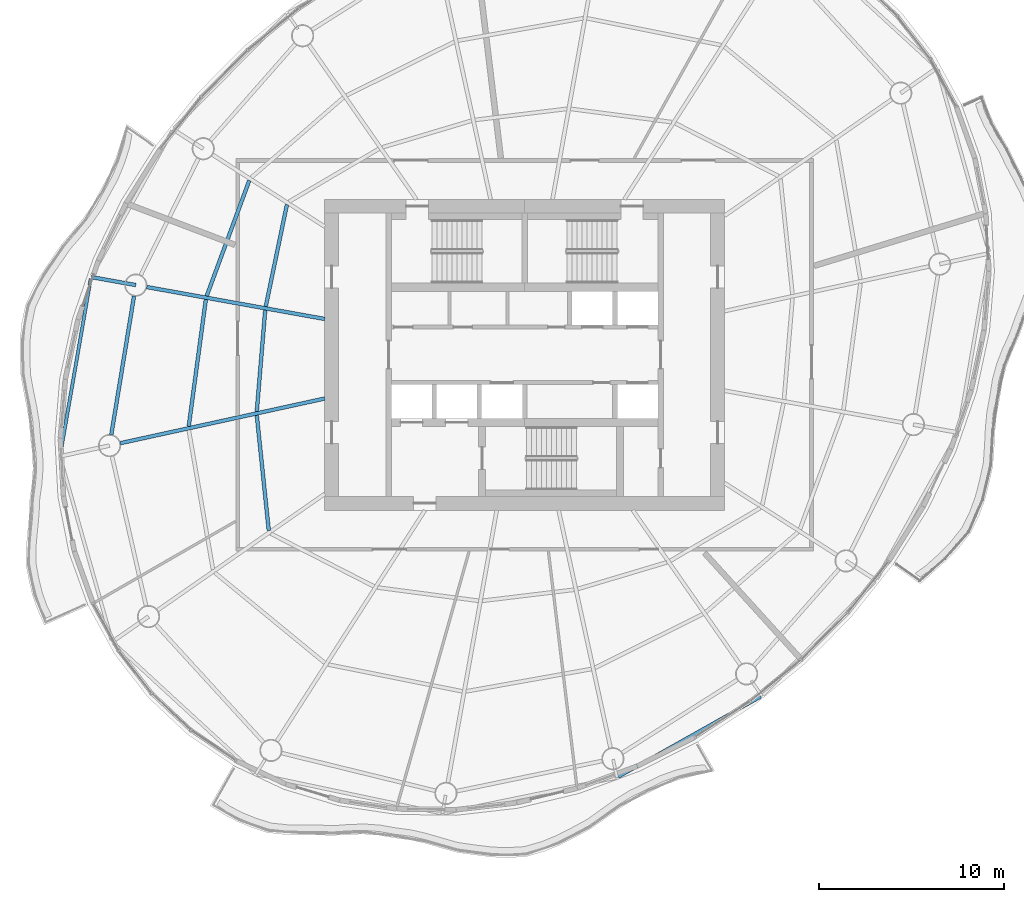
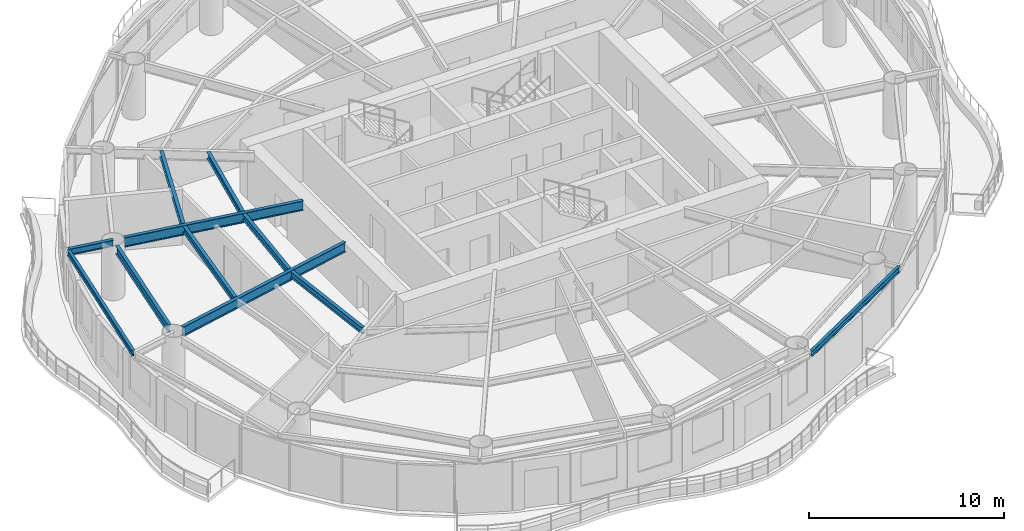
# One storey, part 3 of 14: 11 beams.
"""IFC4 building model written with IfcOpenShell, lengths in metres."""

from ifc_helpers import new_model, si_unit, direction, frame, origin, origin_2d, place, context, subcontext, project, spatial, i_section, extrude, material, material_profile, profile_set, type_object, element, save


model = new_model("IFC4")

# Units and contexts
model_context = context("Model", 3, precision=1e-05, world=origin(), true_north=direction((0.0, 1.0)))
body_context = subcontext(model_context, "Body", "Model", "MODEL_VIEW")
ifc_project = project(units=[si_unit("LENGTHUNIT", "METRE"), si_unit("AREAUNIT", "SQUARE_METRE"), si_unit("VOLUMEUNIT", "CUBIC_METRE"), si_unit("PLANEANGLEUNIT", "RADIAN"), si_unit("MASSUNIT", "GRAM", prefix="KILO")], contexts=[model_context])

# Site, building, storey
site_placement = place(None, origin())
site = spatial("IfcSite", under=ifc_project, at=site_placement, CompositionType="ELEMENT")
building_placement = place(site_placement, origin())
building = spatial("IfcBuilding", under=site, at=building_placement, Name="Vermilion Reach Broadcast Tower", CompositionType="ELEMENT")
storey_placement = place(building_placement, frame((0.0, 0.0, 202.89990234375)))
storey = spatial("IfcBuildingStorey", under=building, at=storey_placement, Name="L49", CompositionType="ELEMENT", Elevation=202.89990234375)

# Beams
ifc_material_1 = material(Name="Steel S355J2", Category="steel")
ifc_material_profile_1 = material_profile(ifc_material_1, i_section(OverallWidth=0.175048828125, OverallDepth=0.35009765625, WebThickness=0.007080078125, FlangeThickness=0.010986328125, at=origin_2d()), Name="S355J2 HN 350x175x7x11")
ifc_profile_set_1 = profile_set([ifc_material_profile_1], Name="Steel S355J2")
beam_type_1 = type_object("IfcBeamType", Name="EB4 HN 350x175x7x11", PredefinedType="BEAM", material=ifc_profile_set_1)
beam_1_placement = place(storey_placement, frame((-29.441162109375, 4.103515625, 3.275146484375), z_axis=(-0.170557536441, -0.985347718708, 0.0), x_axis=(0.985347718708, -0.170557536441, 0.0)))
element("IfcBeam", 1, at=beam_1_placement, inside=storey, type_object=beam_type_1, Name="Edge beam EB4-06", PredefinedType="BEAM", context=body_context, shape_type="SweptSolid", body=[
    extrude(i_section(OverallWidth=0.175048828125, OverallDepth=0.35009765625, WebThickness=0.007080078125, FlangeThickness=0.010986328125, at=origin_2d()), origin(), (0.0, 0.0, 1.0), 9.625),
])
beam_2_placement = place(storey_placement, frame((-0.93994140625, -22.7978515625, 3.275146484375), z_axis=(0.871407912893, 0.490559119115, 0.0), x_axis=(-0.490559119115, 0.871407912893, 0.0)))
element("IfcBeam", 2, at=beam_2_placement, inside=storey, type_object=beam_type_1, Name="Edge beam EB4-11", PredefinedType="BEAM", context=body_context, shape_type="SweptSolid", body=[
    extrude(i_section(OverallWidth=0.175048828125, OverallDepth=0.35009765625, WebThickness=0.007080078125, FlangeThickness=0.010986328125, at=origin_2d()), origin(), (0.0, 0.0, 1.0), 8.832275390625),
])
ifc_material_2 = material(Name="Steel S355J2", Category="steel")
ifc_material_profile_2 = material_profile(ifc_material_2, i_section(OverallWidth=0.199951171875, OverallDepth=0.60009765625, WebThickness=0.010986328125, FlangeThickness=0.01708984375, at=origin_2d()), Name="S355J2 HN 600x200x11x17")
ifc_profile_set_2 = profile_set([ifc_material_profile_2], Name="Steel S355J2")
beam_type_2 = type_object("IfcBeamType", Name="G4 HN 600x200x11x17", PredefinedType="BEAM", material=ifc_profile_set_2)
beam_3_placement = place(storey_placement, frame((-16.800048828125, 1.9375, 3.150146484375), z_axis=(-0.984291153273, 0.176552897422, 0.0), x_axis=(-0.176552897422, -0.984291153273, 0.0)))
element("IfcBeam", 3, at=beam_3_placement, inside=storey, type_object=beam_type_2, Name="Girder G4-06", PredefinedType="BEAM", context=body_context, shape_type="SweptSolid", body=[
    extrude(i_section(OverallWidth=0.199951171875, OverallDepth=0.60009765625, WebThickness=0.010986328125, FlangeThickness=0.01708984375, at=origin_2d()), origin(), (0.0, 0.0, 1.0), 9.765380859375),
])
beam_4_placement = place(storey_placement, frame((-16.800048828125, -2.360595703125, 3.150146484375), z_axis=(-0.976930175286, -0.213558967537, 0.0), x_axis=(0.213558967537, -0.976930175286, 0.0)))
element("IfcBeam", 4, at=beam_4_placement, inside=storey, type_object=beam_type_2, Name="Girder G4-07", PredefinedType="BEAM", context=body_context, shape_type="SweptSolid", body=[
    extrude(i_section(OverallWidth=0.199951171875, OverallDepth=0.60009765625, WebThickness=0.010986328125, FlangeThickness=0.01708984375, at=origin_2d()), origin(), (0.0, 0.0, 1.0), 11.29833984375),
])
ifc_material_3 = material(Name="Steel S355J2", Category="steel")
ifc_material_profile_3 = material_profile(ifc_material_3, i_section(OverallWidth=0.199951171875, OverallDepth=0.39990234375, WebThickness=0.008056640625, FlangeThickness=0.012939453125, at=origin_2d()), Name="S355J2 HN 400x200x8x13")
ifc_profile_set_3 = profile_set([ifc_material_profile_3], Name="Steel S355J2")
beam_type_3 = type_object("IfcBeamType", Name="GC4 HN 400x200x8x13", PredefinedType="BEAM", material=ifc_profile_set_3)
beam_5_placement = place(storey_placement, frame((-27.002685546875, 3.767578125, 3.25), z_axis=(-0.984291112535, 0.176553124541, 0.0), x_axis=(-0.176553124541, -0.984291112535, 0.0)))
element("IfcBeam", 5, at=beam_5_placement, inside=storey, type_object=beam_type_3, Name="Cantilever girder GC4-06", PredefinedType="BEAM", context=body_context, shape_type="SweptSolid", body=[
    extrude(i_section(OverallWidth=0.199951171875, OverallDepth=0.39990234375, WebThickness=0.008056640625, FlangeThickness=0.012939453125, at=origin_2d()), origin(), (0.0, 0.0, 1.0), 2.4599609375),
])
ifc_material_4 = material(Name="Steel S355J2", Category="steel")
ifc_material_profile_4 = material_profile(ifc_material_4, i_section(OverallWidth=0.199951171875, OverallDepth=0.5, WebThickness=0.010009765625, FlangeThickness=0.01611328125, at=origin_2d()), Name="S355J2 HN 500x200x10x16")
ifc_profile_set_4 = profile_set([ifc_material_profile_4], Name="Steel S355J2")
beam_type_4 = type_object("IfcBeamType", Name="RB4 HN 500x200x10x16", PredefinedType="BEAM", material=ifc_profile_set_4)
beam_6_placement = place(storey_placement, frame((-27.099609375, 3.175537109375, 3.2001953125), z_axis=(-0.161778110263, -0.986827159659, 0.0), x_axis=(0.986827159659, -0.161778110263, 0.0)))
element("IfcBeam", 6, at=beam_6_placement, inside=storey, type_object=beam_type_4, Name="Ring beam RB4-06", PredefinedType="BEAM", context=body_context, shape_type="SweptSolid", body=[
    extrude(i_section(OverallWidth=0.199951171875, OverallDepth=0.5, WebThickness=0.010009765625, FlangeThickness=0.01611328125, at=origin_2d()), origin(), (0.0, 0.0, 1.0), 7.584716796875),
])
ifc_material_5 = material(Name="Steel S355J2", Category="steel")
ifc_material_profile_5 = material_profile(ifc_material_5, i_section(OverallWidth=0.199951171875, OverallDepth=0.39990234375, WebThickness=0.008056640625, FlangeThickness=0.012939453125, at=origin_2d()), Name="S355J2 HN 400x200x8x13")
ifc_profile_set_5 = profile_set([ifc_material_profile_5], Name="Steel S355J2")
beam_type_5 = type_object("IfcBeamType", Name="SB4 HN 400x200x8x13", PredefinedType="BEAM", material=ifc_profile_set_5)
beam_7_placement = place(storey_placement, frame((-18.841064453125, 8.115478515625, 3.25), z_axis=(-0.20320860258, -0.979135467562, 0.0), x_axis=(0.979135467562, -0.20320860258, 0.0)))
element("IfcBeam", 7, at=beam_7_placement, inside=storey, type_object=beam_type_5, Name="Secondary beam SB4-05-1", PredefinedType="BEAM", context=body_context, shape_type="SweptSolid", body=[
    extrude(i_section(OverallWidth=0.199951171875, OverallDepth=0.39990234375, WebThickness=0.008056640625, FlangeThickness=0.012939453125, at=origin_2d()), origin(), (0.0, 0.0, 1.0), 5.622802734375),
])
beam_8_placement = place(storey_placement, frame((-20.8740234375, 9.419189453125, 3.25), z_axis=(-0.345833008621, -0.938296078084, 0.0), x_axis=(0.938296078084, -0.345833008621, 0.0)))
element("IfcBeam", 8, at=beam_8_placement, inside=storey, type_object=beam_type_5, Name="Secondary beam SB4-05-2", PredefinedType="BEAM", context=body_context, shape_type="SweptSolid", body=[
    extrude(i_section(OverallWidth=0.199951171875, OverallDepth=0.39990234375, WebThickness=0.008056640625, FlangeThickness=0.012939453125, at=origin_2d()), origin(), (0.0, 0.0, 1.0), 6.647216796875),
])
beam_9_placement = place(storey_placement, frame((-20.012451171875, 2.412109375, 3.25), z_axis=(-0.08339866655, -0.996516262997, 0.0), x_axis=(0.996516262997, -0.08339866655, 0.0)))
element("IfcBeam", 9, at=beam_9_placement, inside=storey, type_object=beam_type_5, Name="Secondary beam SB4-06-1", PredefinedType="BEAM", context=body_context, shape_type="SweptSolid", body=[
    extrude(i_section(OverallWidth=0.199951171875, OverallDepth=0.39990234375, WebThickness=0.008056640625, FlangeThickness=0.012939453125, at=origin_2d()), origin(), (0.0, 0.0, 1.0), 5.49169921875),
])
beam_10_placement = place(storey_placement, frame((-23.221435546875, 2.98779296875, 3.25), z_axis=(-0.133486718782, -0.991050602093, 0.0), x_axis=(0.991050602093, -0.133486718782, 0.0)))
element("IfcBeam", 10, at=beam_10_placement, inside=storey, type_object=beam_type_5, Name="Secondary beam SB4-06-2", PredefinedType="BEAM", context=body_context, shape_type="SweptSolid", body=[
    extrude(i_section(OverallWidth=0.199951171875, OverallDepth=0.39990234375, WebThickness=0.008056640625, FlangeThickness=0.012939453125, at=origin_2d()), origin(), (0.0, 0.0, 1.0), 6.913330078125),
])
beam_11_placement = place(storey_placement, frame((-20.46875, -3.264892578125, 3.25), z_axis=(0.103532173355, -0.994626105167, 0.0), x_axis=(0.994626105167, 0.103532173355, 0.0)))
element("IfcBeam", 11, at=beam_11_placement, inside=storey, type_object=beam_type_5, Name="Secondary beam SB4-07-1", PredefinedType="BEAM", context=body_context, shape_type="SweptSolid", body=[
    extrude(i_section(OverallWidth=0.199951171875, OverallDepth=0.39990234375, WebThickness=0.008056640625, FlangeThickness=0.012939453125, at=origin_2d()), origin(), (0.0, 0.0, 1.0), 6.26318359375),
])

save(model, "model.ifc")
